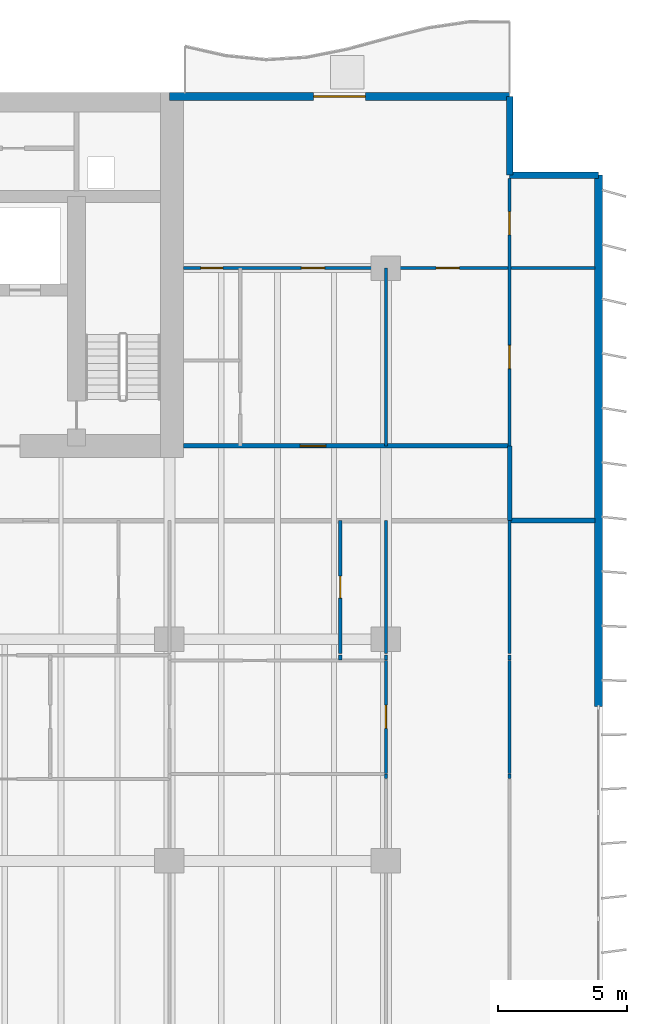
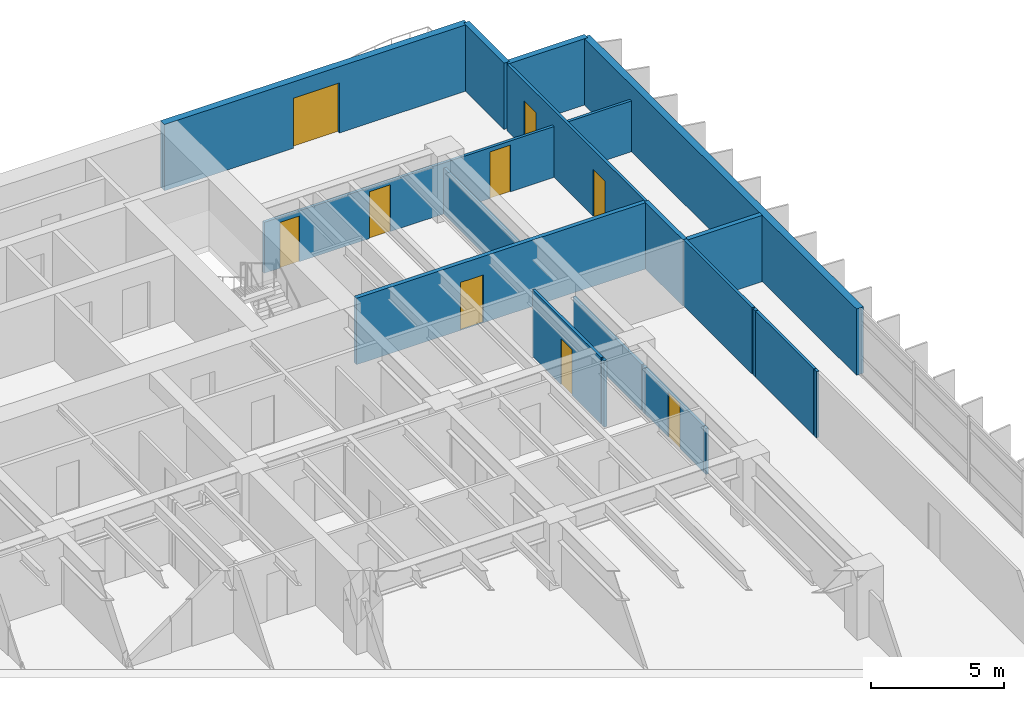
# One storey, part 13 of 18: 20 walls, 9 doors, 9 openings.
"""IFC4 building model written with IfcOpenShell, lengths in metres."""

from ifc_helpers import new_model, si_unit, direction, frame, frame_2d, origin, place, context, subcontext, project, spatial, rectangle, extrude, material, layer, layer_set, type_object, element, fill, save


model = new_model("IFC4")

# Units and contexts
model_context = context("Model", 3, precision=1e-05, world=origin(), true_north=direction((0.0, 1.0)))
body_context = subcontext(model_context, "Body", "Model", "MODEL_VIEW")
ifc_project = project(units=[si_unit("LENGTHUNIT", "METRE"), si_unit("AREAUNIT", "SQUARE_METRE"), si_unit("VOLUMEUNIT", "CUBIC_METRE"), si_unit("PLANEANGLEUNIT", "RADIAN"), si_unit("MASSUNIT", "GRAM", prefix="KILO")], contexts=[model_context])

# Site, building, storey
site_placement = place(None, origin())
site = spatial("IfcSite", under=ifc_project, at=site_placement, CompositionType="ELEMENT")
building_placement = place(site_placement, origin())
building = spatial("IfcBuilding", under=site, at=building_placement, Name="Caelmar Bay Residences", CompositionType="ELEMENT")
storey_placement = place(building_placement, frame((0.0, 0.0, 39.89990234375)))
storey = spatial("IfcBuildingStorey", under=building, at=storey_placement, Name="L09", CompositionType="ELEMENT", Elevation=39.89990234375)

# Wall
ifc_material_1 = material(Name="Double-stud acoustic fire-rated gypsum partition 180 mm")
ifc_layer_1 = layer(ifc_material_1, 0.179931640625)
ifc_layer_set_1 = layer_set([ifc_layer_1], Name="Double-stud acoustic fire-rated gypsum partition 180 mm")
wall_type_1 = type_object("IfcWallType", Name="W-COR-200", PredefinedType="PARTITIONING", material=ifc_layer_set_1)
wall_1_placement = place(storey_placement, frame((72.699951171875, 34.0048828125, 0.0), z_axis=(0.0, 0.0, 1.0), x_axis=(0.0, 1.0, 0.0)))
element("IfcWall", 1, at=wall_1_placement, inside=storey, type_object=wall_type_1, Name="L09 Partition Wall V110", PredefinedType="PARTITIONING", context=body_context, shape_type="SweptSolid", body=[
    extrude(rectangle(XDim=2.89501953125, YDim=0.179931640625, at=frame_2d((1.447509765625, 0.0))), origin(), (0.0, 0.0, 1.0), 3.050048828125),
])

# Wall, opening, door
wall_2_placement = place(storey_placement, frame((60.054931640625, 36.89990234375, 0.0), z_axis=(0.0, 0.0, 1.0), x_axis=(1.0, 0.0, 0.0)))
wall_2 = element("IfcWall", 2, at=wall_2_placement, inside=storey, type_object=wall_type_1, Name="L09 Partition Wall H135", PredefinedType="PARTITIONING", context=body_context, shape_type="SweptSolid", body=[
    extrude(rectangle(XDim=12.64501953125, YDim=0.179931640625, at=frame_2d((6.322509765625, 0.0))), origin(), (0.0, 0.0, 1.0), 3.050048828125),
])
opening_1_placement = place(wall_2_placement, frame((4.52001953125, 0.0, 0.0)))
opening_1 = element("IfcOpeningElement", 3, at=opening_1_placement, cuts=wall_2, Name="Opening D-L09-174", PredefinedType="OPENING", context=body_context, shape_type="SweptSolid", body=[
    extrude(rectangle(XDim=1.0, YDim=2.199951171875, at=frame_2d((0.5, 1.10009765625))), frame((0.0, 0.099853515625, 0.0), z_axis=(0.0, -1.0, 0.0), x_axis=(1.0, 0.0, 0.0)), (0.0, 0.0, 1.0), 0.199951171875),
])
ifc_material_2 = material(Name="Fire-rated steel and walnut architectural door assembly", Category="steel")
ifc_layer_2 = layer(ifc_material_2, 0.050048828125)
ifc_layer_set_2 = layer_set([ifc_layer_2], Name="Fire-rated steel and walnut architectural door assembly")
door_type_1 = type_object("IfcDoorType", Name="D-UNIT-1000", OperationType="NOTDEFINED", PredefinedType="DOOR", material=ifc_layer_set_2)
door_1_placement = place(opening_1_placement, origin())
door_1 = element("IfcDoor", 4, at=door_1_placement, inside=storey, type_object=door_type_1, Name="L09 Residence EA Kitchen Door", OperationType="SINGLE_SWING_LEFT", OverallHeight=2.199951171875, OverallWidth=1.0, PredefinedType="DOOR", context=body_context, shape_type="SweptSolid", body=[
    extrude(rectangle(XDim=1.0, YDim=2.199951171875, at=frame_2d((0.5, 1.10009765625))), frame((0.0, 0.02490234375, 0.0), z_axis=(0.0, -1.0, 0.0), x_axis=(1.0, 0.0, 0.0)), (0.0, 0.0, 1.0), 0.050048828125),
])
fill(opening_1, door_1)

# Walls
ifc_material_3 = material(Name="Precast concrete f'c 40 MPa (6,000 psi)", Category="concrete")
ifc_layer_3 = layer(ifc_material_3, 0.25)
ifc_layer_set_3 = layer_set([ifc_layer_3], Name="Precast concrete f'c 40 MPa (6,000 psi)")
wall_type_2 = type_object("IfcWallType", Name="W-EXT-250", PredefinedType="ELEMENTEDWALL", material=ifc_layer_set_3)
wall_3_placement = place(storey_placement, frame((72.699951171875, 50.449951171875, 0.0), z_axis=(0.0, 0.0, 1.0), x_axis=(0.0, -1.0, 0.0)))
element("IfcWall", 5, at=wall_3_placement, inside=storey, type_object=wall_type_2, Name="L09 NNE-V Notch Wall", PredefinedType="ELEMENTEDWALL", context=body_context, shape_type="SweptSolid", body=[
    extrude(rectangle(XDim=3.050048828125, YDim=0.25, at=frame_2d((1.52490234375, 0.0))), origin(), (0.0, 0.0, 1.0), 3.050048828125),
])
wall_4_placement = place(storey_placement, frame((72.699951171875, 47.39990234375, 0.0), z_axis=(0.0, 0.0, 1.0), x_axis=(1.0, 0.0, 0.0)))
element("IfcWall", 6, at=wall_4_placement, inside=storey, type_object=wall_type_2, Name="L09 NNE-H Notch Wall", PredefinedType="ELEMENTEDWALL", context=body_context, shape_type="SweptSolid", body=[
    extrude(rectangle(XDim=3.449951171875, YDim=0.25, at=frame_2d((1.72509765625, 0.0))), origin(), (0.0, 0.0, 1.0), 3.050048828125),
])
ifc_layer_4 = layer(ifc_material_3, 0.300048828125)
ifc_layer_set_4 = layer_set([ifc_layer_4], Name="Precast concrete f'c 40 MPa (6,000 psi)")
wall_type_3 = type_object("IfcWallType", Name="W-EXT-300", PredefinedType="STANDARD", material=ifc_layer_set_4)
wall_5_placement = place(storey_placement, frame((76.14990234375, 47.39990234375, 0.0), z_axis=(0.0, 0.0, 1.0), x_axis=(0.0, -1.0, 0.0)))
element("IfcWall", 7, at=wall_5_placement, inside=storey, type_object=wall_type_3, Name="L09 East Rear Exterior Wall", PredefinedType="STANDARD", context=body_context, shape_type="SweptSolid", body=[
    extrude(rectangle(XDim=20.599853515625, YDim=0.300048828125, at=frame_2d((10.2998046875, 0.0))), origin(), (0.0, 0.0, 1.0), 3.050048828125),
])

# Wall, opening, door
wall_6_placement = place(storey_placement, frame((59.5, 50.449951171875, 0.0), z_axis=(0.0, 0.0, 1.0), x_axis=(1.0, 0.0, 0.0)))
wall_6 = element("IfcWall", 8, at=wall_6_placement, inside=storey, type_object=wall_type_3, Name="L09 North-East Wing Exterior Wall", PredefinedType="STANDARD", context=body_context, shape_type="SweptSolid", body=[
    extrude(rectangle(XDim=13.199951171875, YDim=0.300048828125, at=frame_2d((6.60009765625, 0.0))), origin(), (0.0, 0.0, 1.0), 3.050048828125),
])
opening_2_placement = place(wall_6_placement, frame((5.60009765625, 0.0, 0.0)))
opening_2 = element("IfcOpeningElement", 9, at=opening_2_placement, cuts=wall_6, Name="Opening L09-BDNE", PredefinedType="OPENING", context=body_context, shape_type="SweptSolid", body=[
    extrude(rectangle(XDim=2.0, YDim=2.300048828125, at=frame_2d((1.0, 1.14990234375))), frame((0.0, 0.159912109375, 0.0), z_axis=(0.0, -1.0, 0.0), x_axis=(1.0, 0.0, 0.0)), (0.0, 0.0, 1.0), 0.320068359375),
])
ifc_material_4 = material(Name="Anodised bronze thermally broken sliding glass door", Category="glass")
ifc_layer_5 = layer(ifc_material_4, 0.050048828125)
ifc_layer_set_5 = layer_set([ifc_layer_5], Name="Anodised bronze thermally broken sliding glass door")
door_type_2 = type_object("IfcDoorType", Name="D-BAL-2000", OperationType="DOUBLE_DOOR_SLIDING", PredefinedType="DOOR", material=ifc_layer_set_5)
door_2_placement = place(opening_2_placement, origin())
door_2 = element("IfcDoor", 10, at=door_2_placement, inside=storey, type_object=door_type_2, Name="L09 North-East Balcony Door", OperationType="DOUBLE_DOOR_SLIDING", OverallHeight=2.300048828125, OverallWidth=2.0, PredefinedType="DOOR", context=body_context, shape_type="SweptSolid", body=[
    extrude(rectangle(XDim=2.0, YDim=2.300048828125, at=frame_2d((1.0, 1.14990234375))), frame((0.0, 0.02490234375, 0.0), z_axis=(0.0, -1.0, 0.0), x_axis=(1.0, 0.0, 0.0)), (0.0, 0.0, 1.0), 0.050048828125),
])
fill(opening_2, door_2)

# Wall
ifc_material_5 = material(Name="Acoustic metal-stud gypsum partition 120 mm")
ifc_layer_6 = layer(ifc_material_5, 0.1201171875)
ifc_layer_set_6 = layer_set([ifc_layer_6], Name="Acoustic metal-stud gypsum partition 120 mm")
wall_type_4 = type_object("IfcWallType", Name="W-PRT-120", PredefinedType="PARTITIONING", material=ifc_layer_set_6)
wall_7_placement = place(storey_placement, frame((66.12890625, 28.60009765625, 0.0), z_axis=(0.0, 0.0, 1.0), x_axis=(0.0, 1.0, 0.0)))
element("IfcWall", 11, at=wall_7_placement, inside=storey, type_object=wall_type_4, Name="L09 Partition Wall V096", PredefinedType="PARTITIONING", context=body_context, shape_type="SweptSolid", body=[
    extrude(rectangle(XDim=0.179931640625, YDim=0.1201171875, at=frame_2d((0.08984375, 0.0))), origin(), (0.0, 0.0, 1.0), 3.050048828125),
])

# Wall, opening, door
wall_8_placement = place(storey_placement, frame((66.12890625, 28.840087890625, 0.0), z_axis=(0.0, 0.0, 1.0), x_axis=(0.0, 1.0, 0.0)))
wall_8 = element("IfcWall", 12, at=wall_8_placement, inside=storey, type_object=wall_type_4, Name="L09 Partition Wall V097", PredefinedType="PARTITIONING", context=body_context, shape_type="SweptSolid", body=[
    extrude(rectangle(XDim=5.159912109375, YDim=0.1201171875, at=frame_2d((2.580078125, 0.0))), origin(), (0.0, 0.0, 1.0), 3.050048828125),
])
opening_3_placement = place(wall_8_placement, frame((2.155029296875, 0.0, 0.0)))
opening_3 = element("IfcOpeningElement", 13, at=opening_3_placement, cuts=wall_8, Name="Opening D-L09-160", PredefinedType="OPENING", context=body_context, shape_type="SweptSolid", body=[
    extrude(rectangle(XDim=0.85009765625, YDim=2.10009765625, at=frame_2d((0.425048828125, 1.050048828125))), frame((0.0, 0.070068359375, 0.0), z_axis=(0.0, -1.0, 0.0), x_axis=(1.0, 0.0, 0.0)), (0.0, 0.0, 1.0), 0.14013671875),
])
ifc_material_6 = material(Name="Solid walnut timber interior door leaf and frame", Category="wood")
ifc_layer_7 = layer(ifc_material_6, 0.050048828125)
ifc_layer_set_7 = layer_set([ifc_layer_7], Name="Solid walnut timber interior door leaf and frame")
door_type_3 = type_object("IfcDoorType", Name="D-BATH-850", OperationType="NOTDEFINED", PredefinedType="DOOR", material=ifc_layer_set_7)
door_3_placement = place(opening_3_placement, origin())
door_3 = element("IfcDoor", 14, at=door_3_placement, inside=storey, type_object=door_type_3, Name="L09 Residence 05 En-Suite Bathroom 1 Door", OperationType="SINGLE_SWING_LEFT", OverallHeight=2.10009765625, OverallWidth=0.85009765625, PredefinedType="DOOR", context=body_context, shape_type="SweptSolid", body=[
    extrude(rectangle(XDim=0.85009765625, YDim=2.10009765625, at=frame_2d((0.425048828125, 1.050048828125))), frame((0.0, 0.02490234375, 0.0), z_axis=(0.0, -1.0, 0.0), x_axis=(1.0, 0.0, 0.0)), (0.0, 0.0, 1.0), 0.050048828125),
])
fill(opening_3, door_3)

# Wall
wall_9_placement = place(storey_placement, frame((67.89990234375, 24.0, 0.0), z_axis=(0.0, 0.0, 1.0), x_axis=(0.0, 1.0, 0.0)))
element("IfcWall", 15, at=wall_9_placement, inside=storey, type_object=wall_type_4, Name="L09 Partition Wall V100", PredefinedType="PARTITIONING", context=body_context, shape_type="SweptSolid", body=[
    extrude(rectangle(XDim=0.179931640625, YDim=0.1201171875, at=frame_2d((0.08984375, 0.0))), origin(), (0.0, 0.0, 1.0), 2.110107421875),
])

# Wall, opening, door
wall_10_placement = place(storey_placement, frame((67.89990234375, 24.199951171875, 0.0), z_axis=(0.0, 0.0, 1.0), x_axis=(0.0, 1.0, 0.0)))
wall_10 = element("IfcWall", 16, at=wall_10_placement, inside=storey, type_object=wall_type_4, Name="L09 Partition Wall V101", PredefinedType="PARTITIONING", context=body_context, shape_type="SweptSolid", body=[
    extrude(rectangle(XDim=4.380126953125, YDim=0.1201171875, at=frame_2d((2.18994140625, 0.0))), origin(), (0.0, 0.0, 1.0), 2.110107421875),
])
opening_4_placement = place(wall_10_placement, frame((1.739990234375, 0.0, 0.0)))
opening_4 = element("IfcOpeningElement", 17, at=opening_4_placement, cuts=wall_10, Name="Opening D-L09-163", PredefinedType="OPENING", context=body_context, shape_type="SweptSolid", body=[
    extrude(rectangle(XDim=0.89990234375, YDim=2.06005859375, at=frame_2d((0.449951171875, 1.030029296875))), frame((0.0, 0.070068359375, 0.0), z_axis=(0.0, -1.0, 0.0), x_axis=(1.0, 0.0, 0.0)), (0.0, 0.0, 1.0), 0.14013671875),
])
ifc_layer_8 = layer(ifc_material_6, 0.050048828125)
ifc_layer_set_8 = layer_set([ifc_layer_8], Name="Solid walnut timber interior door leaf and frame")
door_type_4 = type_object("IfcDoorType", Name="D-ROOM-900", OperationType="NOTDEFINED", PredefinedType="DOOR", material=ifc_layer_set_8)
door_4_placement = place(opening_4_placement, origin())
door_4 = element("IfcDoor", 18, at=door_4_placement, inside=storey, type_object=door_type_4, Name="L09 Residence 05 East Apartment Hall Door", OperationType="SINGLE_SWING_RIGHT", OverallHeight=2.06005859375, OverallWidth=0.89990234375, PredefinedType="DOOR", context=body_context, shape_type="SweptSolid", body=[
    extrude(rectangle(XDim=0.89990234375, YDim=2.06005859375, at=frame_2d((0.449951171875, 1.030029296875))), frame((0.0, 0.02490234375, 0.0), z_axis=(0.0, -1.0, 0.0), x_axis=(1.0, 0.0, 0.0)), (0.0, 0.0, 1.0), 0.050048828125),
])
fill(opening_4, door_4)

# Walls
wall_11_placement = place(storey_placement, frame((67.89990234375, 28.60009765625, 0.0), z_axis=(0.0, 0.0, 1.0), x_axis=(0.0, 1.0, 0.0)))
element("IfcWall", 19, at=wall_11_placement, inside=storey, type_object=wall_type_4, Name="L09 Partition Wall V102", PredefinedType="PARTITIONING", context=body_context, shape_type="SweptSolid", body=[
    extrude(rectangle(XDim=0.179931640625, YDim=0.1201171875, at=frame_2d((0.08984375, 0.0))), origin(), (0.0, 0.0, 1.0), 2.110107421875),
])
wall_12_placement = place(storey_placement, frame((67.89990234375, 28.840087890625, 0.0), z_axis=(0.0, 0.0, 1.0), x_axis=(0.0, 1.0, 0.0)))
element("IfcWall", 20, at=wall_12_placement, inside=storey, type_object=wall_type_4, Name="L09 Partition Wall V103", PredefinedType="PARTITIONING", context=body_context, shape_type="SweptSolid", body=[
    extrude(rectangle(XDim=5.159912109375, YDim=0.1201171875, at=frame_2d((2.580078125, 0.0))), origin(), (0.0, 0.0, 1.0), 2.110107421875),
])
wall_13_placement = place(storey_placement, frame((67.89990234375, 36.89990234375, 0.0), z_axis=(0.0, 0.0, 1.0), x_axis=(0.0, 1.0, 0.0)))
element("IfcWall", 21, at=wall_13_placement, inside=storey, type_object=wall_type_4, Name="L09 Partition Wall V104", PredefinedType="PARTITIONING", context=body_context, shape_type="SweptSolid", body=[
    extrude(rectangle(XDim=6.900146484375, YDim=0.1201171875, at=frame_2d((3.4501953125, 0.0))), origin(), (0.0, 0.0, 1.0), 2.110107421875),
])
wall_14_placement = place(storey_placement, frame((72.699951171875, 24.0, 0.0), z_axis=(0.0, 0.0, 1.0), x_axis=(0.0, 1.0, 0.0)))
element("IfcWall", 22, at=wall_14_placement, inside=storey, type_object=wall_type_4, Name="L09 Partition Wall V106", PredefinedType="PARTITIONING", context=body_context, shape_type="SweptSolid", body=[
    extrude(rectangle(XDim=0.179931640625, YDim=0.1201171875, at=frame_2d((0.08984375, 0.0))), origin(), (0.0, 0.0, 1.0), 3.050048828125),
])
wall_15_placement = place(storey_placement, frame((72.699951171875, 24.199951171875, 0.0), z_axis=(0.0, 0.0, 1.0), x_axis=(0.0, 1.0, 0.0)))
element("IfcWall", 23, at=wall_15_placement, inside=storey, type_object=wall_type_4, Name="L09 Partition Wall V107", PredefinedType="PARTITIONING", context=body_context, shape_type="SweptSolid", body=[
    extrude(rectangle(XDim=4.380126953125, YDim=0.1201171875, at=frame_2d((2.18994140625, 0.0))), origin(), (0.0, 0.0, 1.0), 3.050048828125),
])
wall_16_placement = place(storey_placement, frame((72.699951171875, 28.60009765625, 0.0), z_axis=(0.0, 0.0, 1.0), x_axis=(0.0, 1.0, 0.0)))
element("IfcWall", 24, at=wall_16_placement, inside=storey, type_object=wall_type_4, Name="L09 Partition Wall V108", PredefinedType="PARTITIONING", context=body_context, shape_type="SweptSolid", body=[
    extrude(rectangle(XDim=0.179931640625, YDim=0.1201171875, at=frame_2d((0.08984375, 0.0))), origin(), (0.0, 0.0, 1.0), 3.050048828125),
])
wall_17_placement = place(storey_placement, frame((72.699951171875, 28.840087890625, 0.0), z_axis=(0.0, 0.0, 1.0), x_axis=(0.0, 1.0, 0.0)))
element("IfcWall", 25, at=wall_17_placement, inside=storey, type_object=wall_type_4, Name="L09 Partition Wall V109", PredefinedType="PARTITIONING", context=body_context, shape_type="SweptSolid", body=[
    extrude(rectangle(XDim=5.159912109375, YDim=0.1201171875, at=frame_2d((2.580078125, 0.0))), origin(), (0.0, 0.0, 1.0), 3.050048828125),
])

# Wall, openings, doors
wall_18_placement = place(storey_placement, frame((72.699951171875, 36.905029296875, 0.0), z_axis=(0.0, 0.0, 1.0), x_axis=(0.0, 1.0, 0.0)))
wall_18 = element("IfcWall", 26, at=wall_18_placement, inside=storey, type_object=wall_type_4, Name="L09 Partition Wall V111", PredefinedType="PARTITIONING", context=body_context, shape_type="SweptSolid", body=[
    extrude(rectangle(XDim=10.375, YDim=0.1201171875, at=frame_2d((5.1875, 0.0))), origin(), (0.0, 0.0, 1.0), 3.050048828125),
])
opening_5_placement = place(wall_18_placement, frame((2.99755859375, 0.0, 0.0)))
opening_5 = element("IfcOpeningElement", 27, at=opening_5_placement, cuts=wall_18, Name="Opening D-L09-178", PredefinedType="OPENING", context=body_context, shape_type="SweptSolid", body=[
    extrude(rectangle(XDim=0.89990234375, YDim=2.14990234375, at=frame_2d((0.449951171875, 1.074951171875))), frame((0.0, 0.070068359375, 0.0), z_axis=(0.0, -1.0, 0.0), x_axis=(1.0, 0.0, 0.0)), (0.0, 0.0, 1.0), 0.14013671875),
])
opening_6_placement = place(wall_18_placement, frame((8.18505859375, 0.0, 0.0)))
opening_6 = element("IfcOpeningElement", 28, at=opening_6_placement, cuts=wall_18, Name="Opening D-L09-179", PredefinedType="OPENING", context=body_context, shape_type="SweptSolid", body=[
    extrude(rectangle(XDim=0.89990234375, YDim=2.14990234375, at=frame_2d((0.449951171875, 1.074951171875))), frame((0.0, 0.070068359375, 0.0), z_axis=(0.0, -1.0, 0.0), x_axis=(1.0, 0.0, 0.0)), (0.0, 0.0, 1.0), 0.14013671875),
])
door_5_placement = place(opening_5_placement, origin())
door_5 = element("IfcDoor", 29, at=door_5_placement, inside=storey, type_object=door_type_4, Name="L09 Residence EA Sun Study Door", OperationType="SINGLE_SWING_LEFT", OverallHeight=2.14990234375, OverallWidth=0.89990234375, PredefinedType="DOOR", context=body_context, shape_type="SweptSolid", body=[
    extrude(rectangle(XDim=0.89990234375, YDim=2.14990234375, at=frame_2d((0.449951171875, 1.074951171875))), frame((0.0, 0.02490234375, 0.0), z_axis=(0.0, -1.0, 0.0), x_axis=(1.0, 0.0, 0.0)), (0.0, 0.0, 1.0), 0.050048828125),
])
fill(opening_5, door_5)
door_6_placement = place(opening_6_placement, origin())
door_6 = element("IfcDoor", 30, at=door_6_placement, inside=storey, type_object=door_type_4, Name="L09 Residence EA North Sitting Alcove Door", OperationType="SINGLE_SWING_RIGHT", OverallHeight=2.14990234375, OverallWidth=0.89990234375, PredefinedType="DOOR", context=body_context, shape_type="SweptSolid", body=[
    extrude(rectangle(XDim=0.89990234375, YDim=2.14990234375, at=frame_2d((0.449951171875, 1.074951171875))), frame((0.0, 0.02490234375, 0.0), z_axis=(0.0, -1.0, 0.0), x_axis=(1.0, 0.0, 0.0)), (0.0, 0.0, 1.0), 0.050048828125),
])
fill(opening_6, door_6)

wall_19_placement = place(storey_placement, frame((60.044921875, 43.800048828125, 0.0), z_axis=(0.0, 0.0, 1.0), x_axis=(1.0, 0.0, 0.0)))
wall_19 = element("IfcWall", 31, at=wall_19_placement, inside=storey, type_object=wall_type_4, Name="L09 Partition Wall H139", PredefinedType="PARTITIONING", context=body_context, shape_type="SweptSolid", body=[
    extrude(rectangle(XDim=15.9599609375, YDim=0.1201171875, at=frame_2d((7.97998046875, 0.0))), origin(), (0.0, 0.0, 1.0), 2.339111328125),
])
opening_7_placement = place(wall_19_placement, frame((9.804931640625, 0.0, 0.0)))
opening_7 = element("IfcOpeningElement", 32, at=opening_7_placement, cuts=wall_19, Name="Opening D-L09-173", PredefinedType="OPENING", context=body_context, shape_type="SweptSolid", body=[
    extrude(rectangle(XDim=0.89990234375, YDim=2.14990234375, at=frame_2d((0.449951171875, 1.074951171875))), frame((0.0, 0.070068359375, 0.0), z_axis=(0.0, -1.0, 0.0), x_axis=(1.0, 0.0, 0.0)), (0.0, 0.0, 1.0), 0.14013671875),
])
opening_8_placement = place(wall_19_placement, frame((4.580078125, 0.0, 0.0)))
opening_8 = element("IfcOpeningElement", 33, at=opening_8_placement, cuts=wall_19, Name="Opening D-L09-175", PredefinedType="OPENING", context=body_context, shape_type="SweptSolid", body=[
    extrude(rectangle(XDim=0.89990234375, YDim=2.14990234375, at=frame_2d((0.449951171875, 1.074951171875))), frame((0.0, 0.070068359375, 0.0), z_axis=(0.0, -1.0, 0.0), x_axis=(1.0, 0.0, 0.0)), (0.0, 0.0, 1.0), 0.14013671875),
])
opening_9_placement = place(wall_19_placement, frame((0.677490234375, 0.0, 0.0)))
opening_9 = element("IfcOpeningElement", 34, at=opening_9_placement, cuts=wall_19, Name="Opening D-L09-177", PredefinedType="OPENING", context=body_context, shape_type="SweptSolid", body=[
    extrude(rectangle(XDim=0.85009765625, YDim=2.10009765625, at=frame_2d((0.425048828125, 1.050048828125))), frame((0.0, 0.070068359375, 0.0), z_axis=(0.0, -1.0, 0.0), x_axis=(1.0, 0.0, 0.0)), (0.0, 0.0, 1.0), 0.14013671875),
])
door_7_placement = place(opening_9_placement, origin())
door_7 = element("IfcDoor", 35, at=door_7_placement, inside=storey, type_object=door_type_3, Name="L09 Residence EA Bathroom Door", OperationType="SINGLE_SWING_RIGHT", OverallHeight=2.10009765625, OverallWidth=0.85009765625, PredefinedType="DOOR", context=body_context, shape_type="SweptSolid", body=[
    extrude(rectangle(XDim=0.85009765625, YDim=2.10009765625, at=frame_2d((0.425048828125, 1.050048828125))), frame((0.0, 0.02490234375, 0.0), z_axis=(0.0, -1.0, 0.0), x_axis=(1.0, 0.0, 0.0)), (0.0, 0.0, 1.0), 0.050048828125),
])
fill(opening_9, door_7)
door_8_placement = place(opening_7_placement, origin())
door_8 = element("IfcDoor", 36, at=door_8_placement, inside=storey, type_object=door_type_4, Name="L09 Residence EA Study Door", OperationType="SINGLE_SWING_RIGHT", OverallHeight=2.14990234375, OverallWidth=0.89990234375, PredefinedType="DOOR", context=body_context, shape_type="SweptSolid", body=[
    extrude(rectangle(XDim=0.89990234375, YDim=2.14990234375, at=frame_2d((0.449951171875, 1.074951171875))), frame((0.0, 0.02490234375, 0.0), z_axis=(0.0, -1.0, 0.0), x_axis=(1.0, 0.0, 0.0)), (0.0, 0.0, 1.0), 0.050048828125),
])
fill(opening_7, door_8)
door_9_placement = place(opening_8_placement, origin())
door_9 = element("IfcDoor", 37, at=door_9_placement, inside=storey, type_object=door_type_4, Name="L09 Residence EA Studio Living and Sleeping Room Door", OperationType="SINGLE_SWING_RIGHT", OverallHeight=2.14990234375, OverallWidth=0.89990234375, PredefinedType="DOOR", context=body_context, shape_type="SweptSolid", body=[
    extrude(rectangle(XDim=0.89990234375, YDim=2.14990234375, at=frame_2d((0.449951171875, 1.074951171875))), frame((0.0, 0.02490234375, 0.0), z_axis=(0.0, -1.0, 0.0), x_axis=(1.0, 0.0, 0.0)), (0.0, 0.0, 1.0), 0.050048828125),
])
fill(opening_8, door_9)

# Wall
ifc_material_7 = material(Name="Acoustic twin-stud fire-rated inter-tenancy partition 200 mm")
ifc_layer_9 = layer(ifc_material_7, 0.199951171875)
ifc_layer_set_9 = layer_set([ifc_layer_9], Name="Acoustic twin-stud fire-rated inter-tenancy partition 200 mm")
wall_type_5 = type_object("IfcWallType", Name="W-PTY-200", PredefinedType="PARTITIONING", material=ifc_layer_set_9)
wall_20_placement = place(storey_placement, frame((72.705078125, 34.0, 0.0), z_axis=(0.0, 0.0, 1.0), x_axis=(1.0, 0.0, 0.0)))
element("IfcWall", 38, at=wall_20_placement, inside=storey, type_object=wall_type_5, Name="L09 Partition Wall H133", PredefinedType="PARTITIONING", context=body_context, shape_type="SweptSolid", body=[
    extrude(rectangle(XDim=3.2998046875, YDim=0.199951171875, at=frame_2d((1.64990234375, 0.0))), origin(), (0.0, 0.0, 1.0), 3.050048828125),
])

save(model, "model.ifc")
